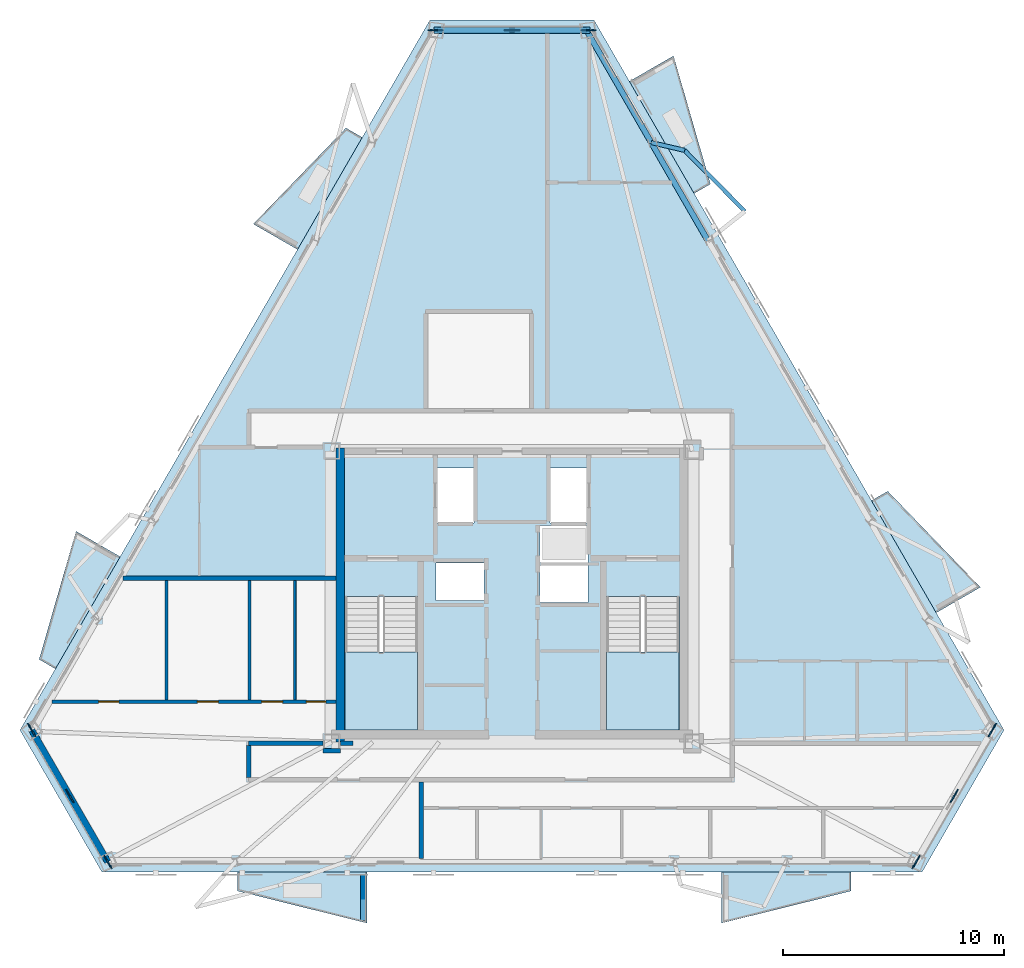
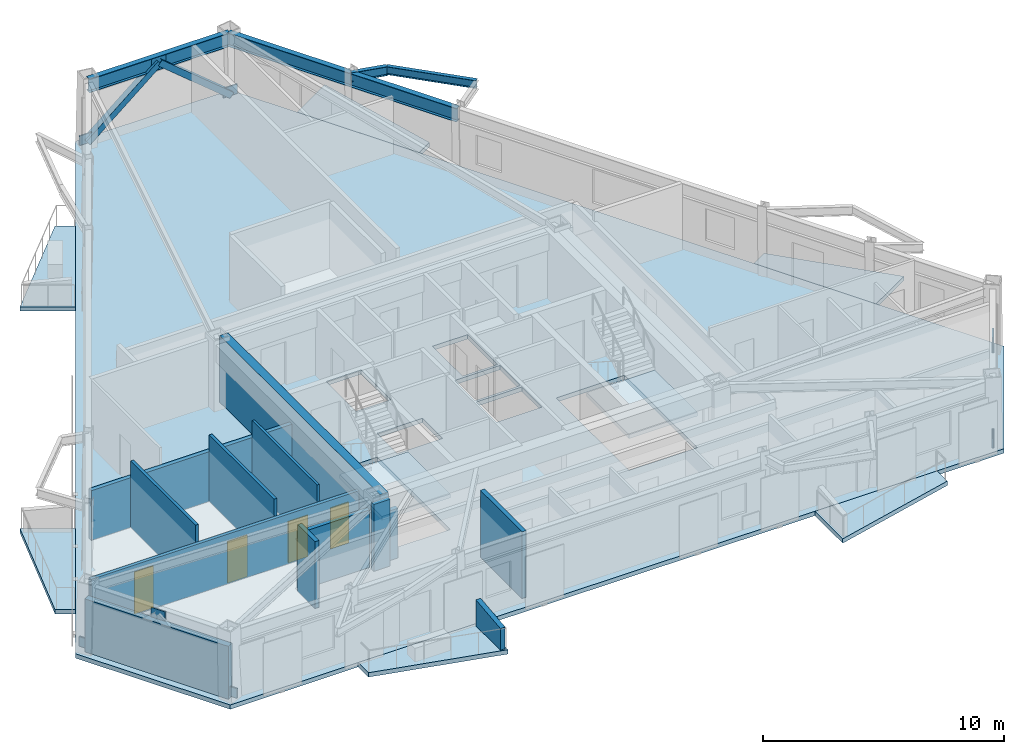
# One storey, part 2 of 11: 13 walls, 9 plates, 9 slabs, 5 beams, 4 doors, 2 members, 4 openings, 2 elements without a shape of their own.
"""IFC4 building model written with IfcOpenShell, lengths in metres."""

from ifc_helpers import new_model, si_unit, direction, frame, frame_2d, origin, origin_2d, place, context, subcontext, project, spatial, polyline, rectangle, hollow_rectangle, i_section, outline, extrude, material, layer, layer_set, material_profile, profile_set, type_object, element, fill, aggregate, save


model = new_model("IFC4")

# Units and contexts
model_context = context("Model", 3, precision=1e-05, world=origin(), true_north=direction((0.0, 1.0)))
body_context = subcontext(model_context, "Body", "Model", "MODEL_VIEW")
ifc_project = project(units=[si_unit("LENGTHUNIT", "METRE"), si_unit("AREAUNIT", "SQUARE_METRE"), si_unit("VOLUMEUNIT", "CUBIC_METRE"), si_unit("PLANEANGLEUNIT", "RADIAN"), si_unit("MASSUNIT", "GRAM", prefix="KILO")], contexts=[model_context])

# Site, building, storey
site_placement = place(None, origin())
site = spatial("IfcSite", under=ifc_project, at=site_placement, CompositionType="ELEMENT")
building_placement = place(site_placement, origin())
building = spatial("IfcBuilding", under=site, at=building_placement, Name="Oramaril Tower", CompositionType="ELEMENT")
storey_placement = place(building_placement, frame((0.0, 0.0, 212.699951171875)))
storey = spatial("IfcBuildingStorey", under=building, at=storey_placement, Name="L56", CompositionType="ELEMENT", Elevation=212.699951171875)

# Beams
ifc_material_1 = material(Name="Steel ASTM A572 Gr 50", Category="steel")
ifc_material_profile_1 = material_profile(ifc_material_1, i_section(OverallWidth=0.19091796875, OverallDepth=0.45703125, WebThickness=0.009033203125, FlangeThickness=0.014404296875, at=origin_2d()), Name="W18X50")
ifc_profile_set_1 = profile_set([ifc_material_profile_1], Name="Steel ASTM A572 Gr 50")
beam_type_1 = type_object("IfcBeamType", Name="BT-BB1", PredefinedType="BEAM", material=ifc_profile_set_1)
beam_1_placement = place(storey_placement, frame((43.794189453125, 38.094482421875, 3.151611328125), z_axis=(0.973530823178, -0.228555761955, 0.0), x_axis=(0.228555761955, 0.973530823178, 0.0)))
element("IfcBeam", 1, at=beam_1_placement, inside=storey, type_object=beam_type_1, Name="L56 Balcony Column-Framed Cantilever 04.2", PredefinedType="BEAM", context=body_context, shape_type="SweptSolid", body=[
    extrude(i_section(OverallWidth=0.19091796875, OverallDepth=0.45703125, WebThickness=0.009033203125, FlangeThickness=0.014404296875, at=origin_2d()), origin(), (0.0, 0.0, 1.0), 1.5478515625),
])
ifc_material_2 = material(Name="Steel ASTM A572 Gr 50", Category="steel")
ifc_material_profile_2 = material_profile(ifc_material_2, i_section(OverallWidth=0.177978515625, OverallDepth=0.404052734375, WebThickness=0.007568359375, FlangeThickness=0.010986328125, at=origin_2d()), Name="W16X36")
ifc_profile_set_2 = profile_set([ifc_material_profile_2], Name="Steel ASTM A572 Gr 50")
beam_type_2 = type_object("IfcBeamType", Name="BT-SB1", PredefinedType="BEAM", material=ifc_profile_set_2)
beam_2_placement = place(storey_placement, frame((48.021728515625, 34.98828125, 3.177978515625), z_axis=(-0.702994511648, 0.71119527318, 0.0), x_axis=(-0.71119527318, -0.702994511648, 0.0)))
element("IfcBeam", 2, at=beam_2_placement, inside=storey, type_object=beam_type_2, Name="L56 Balcony Edge Tie Beam 04", PredefinedType="BEAM", context=body_context, shape_type="SweptSolid", body=[
    extrude(i_section(OverallWidth=0.177978515625, OverallDepth=0.404052734375, WebThickness=0.007568359375, FlangeThickness=0.010986328125, at=origin_2d()), origin(), (0.0, 0.0, 1.0), 3.8701171875),
])
ifc_material_3 = material(Name="Steel ASTM A572 Gr 50", Category="steel")
ifc_material_profile_3 = material_profile(ifc_material_3, i_section(OverallWidth=0.257080078125, OverallDepth=0.693115234375, WebThickness=0.014404296875, FlangeThickness=0.023681640625, at=origin_2d()), Name="W27X114")
ifc_profile_set_3 = profile_set([ifc_material_profile_3], Name="Steel ASTM A572 Gr 50")
beam_type_3 = type_object("IfcBeamType", Name="BT-SP4", PredefinedType="SPANDREL", material=ifc_profile_set_3)
beam_3_placement = place(storey_placement, frame((46.354736328125, 33.65966796875, 3.033447265625), z_axis=(-0.500015459501, 0.866016478054, 0.0), x_axis=(-0.866016478054, -0.500015459501, 0.0)))
element("IfcBeam", 3, at=beam_3_placement, inside=storey, type_object=beam_type_3, Name="L56 Perimeter Spandrel 11", PredefinedType="SPANDREL", context=body_context, shape_type="SweptSolid", body=[
    extrude(i_section(OverallWidth=0.257080078125, OverallDepth=0.693115234375, WebThickness=0.014404296875, FlangeThickness=0.023681640625, at=origin_2d()), origin(), (0.0, 0.0, 1.0), 5.120849609375),
])
beam_4_placement = place(storey_placement, frame((43.794189453125, 38.094482421875, 3.033447265625), z_axis=(-0.499988457423, 0.866032067792, 0.0), x_axis=(-0.866032067792, -0.499988457423, 0.0)))
element("IfcBeam", 4, at=beam_4_placement, inside=storey, type_object=beam_type_3, Name="L56 Perimeter Spandrel 12", PredefinedType="SPANDREL", context=body_context, shape_type="SweptSolid", body=[
    extrude(i_section(OverallWidth=0.257080078125, OverallDepth=0.693115234375, WebThickness=0.014404296875, FlangeThickness=0.023681640625, at=origin_2d()), origin(), (0.0, 0.0, 1.0), 5.852783203125),
])
beam_5_placement = place(storey_placement, frame((40.867919921875, 43.1630859375, 3.033447265625), z_axis=(-1.0, 0.0, 0.0), x_axis=(0.0, -1.0, 0.0)))
element("IfcBeam", 5, at=beam_5_placement, inside=storey, type_object=beam_type_3, Name="L56 Perimeter Spandrel 13", PredefinedType="SPANDREL", context=body_context, shape_type="SweptSolid", body=[
    extrude(i_section(OverallWidth=0.257080078125, OverallDepth=0.693115234375, WebThickness=0.014404296875, FlangeThickness=0.023681640625, at=origin_2d()), origin(), (0.0, 0.0, 1.0), 6.73583984375),
])

# Members
ifc_material_4 = material(Name="Steel ASTM A572 Gr 50", Category="steel")
ifc_material_profile_4 = material_profile(ifc_material_4, hollow_rectangle(XDim=0.300048828125, YDim=0.300048828125, WallThickness=0.01611328125, at=origin_2d()), Name="HSS300X300X16")
ifc_profile_set_4 = profile_set([ifc_material_profile_4], Name="Steel ASTM A572 Gr 50")
member_type = type_object("IfcMemberType", Name="MT-KB2", PredefinedType="BRACE", material=ifc_profile_set_4)
for number, where, z_axis, x_axis, name in (
    (6, (40.939697265625, 43.172607421875, 0.179931640625), (-0.769638795967, 0.0, 0.638479540582), (0.0, -1.0, 0.0), "L56 Perimeter Chevron Brace KB-3A"),
    (7, (34.060302734375, 43.172607421875, 0.179931640625), (0.769638795967, 0.0, 0.638479540582), (0.0, 1.0, 0.0), "L56 Perimeter Chevron Brace KB-3B"),
):
    element("IfcMember", number, at=place(storey_placement, frame(where, z_axis=z_axis, x_axis=x_axis)), inside=storey, type_object=member_type, Name=name, PredefinedType="BRACE", context=body_context, shape_type="SweptSolid", body=[
        extrude(hollow_rectangle(XDim=0.300048828125, YDim=0.300048828125, WallThickness=0.01611328125, at=origin_2d()), origin(), (0.0, 0.0, 1.0), 4.46923828125),
    ])

# Plates
ifc_material_5 = material(Name="Steel ASTM A572 Gr 50", Category="steel")
ifc_layer_1 = layer(ifc_material_5, 0.06005859375)
ifc_layer_set_1 = layer_set([ifc_layer_1], Name="PLT-G60")
plate_type = type_object("IfcPlateType", Name="PLT-G60", PredefinedType="USERDEFINED", material=ifc_layer_set_1)
for number, where, z_axis, x_axis, name in (
    (8, (17.518798828125, 8.563720703125, 2.79345703125), (0.0, 0.0, 1.0), (0.5, -0.866025403784, 0.0), "L56 Chevron Brace Gusset Plate BN-1"),
    (9, (15.798828125, 11.542724609375, 0.10009765625), (0.0, 0.0, 1.0), (0.5, -0.866025403784, 0.0), "L56 Chevron Brace Gusset Plate BN-1"),
    (10, (19.238525390625, 5.584716796875, 0.10009765625), (0.0, 0.0, 1.0), (0.5, -0.866025403784, 0.0), "L56 Chevron Brace Gusset Plate BN-1"),
    (11, (57.481201171875, 8.563720703125, 2.79345703125), (0.0, 0.0, 1.0), (0.5, 0.866025403784, 0.0), "L56 Chevron Brace Gusset Plate BN-1"),
    (12, (55.761474609375, 5.584716796875, 0.10009765625), (0.0, 0.0, 1.0), (0.5, 0.866025403784, 0.0), "L56 Chevron Brace Gusset Plate BN-1"),
    (13, (59.201171875, 11.542724609375, 0.10009765625), (0.0, 0.0, 1.0), (0.5, 0.866025403784, 0.0), "L56 Chevron Brace Gusset Plate BN-1"),
    (14, (37.5, 43.172607421875, 2.79345703125), (0.0, 0.0, 1.0), (-1.0, 0.0, 0.0), "L56 Chevron Brace Gusset Plate BN-1"),
    (15, (40.939697265625, 43.172607421875, 0.10009765625), (0.0, 0.0, 1.0), (-1.0, 0.0, 0.0), "L56 Chevron Brace Gusset Plate BN-1"),
    (16, (34.060302734375, 43.172607421875, 0.10009765625), (0.0, 0.0, 1.0), (-1.0, 0.0, 0.0), "L56 Chevron Brace Gusset Plate BN-1"),
):
    element("IfcPlate", number, at=place(storey_placement, frame(where, z_axis=z_axis, x_axis=x_axis)), inside=storey, type_object=plate_type, Name=name, ObjectType="GUSSET", PredefinedType="USERDEFINED", context=body_context, shape_type="SweptSolid", body=[
        extrude(rectangle(XDim=0.679931640625, YDim=0.06005859375, at=origin_2d()), origin(), (0.0, 0.0, 1.0), 0.47998046875),
    ])

# Slabs
ifc_material_6 = material(Name="Concrete C40/50", Category="concrete")
ifc_layer_2 = layer(ifc_material_6, 0.199951171875)
ifc_layer_set_2 = layer_set([ifc_layer_2], Name="SLT-BAL20")
slab_type_1 = type_object("IfcSlabType", Name="SLT-BAL20", PredefinedType="FLOOR", material=ifc_layer_set_2)
slab_1_placement = place(storey_placement, frame((0.0, 0.0, -0.219970703125)))
element("IfcSlab", 17, at=slab_1_placement, inside=storey, type_object=slab_type_1, Name="L56 Cantilevered Balcony Slab L56-BAL-S2", PredefinedType="FLOOR", context=body_context, shape_type="SweptSolid", body=[
    extrude(outline(polyline([(46.97705078125, 5.126708984375), (52.826904296875, 5.126708984375), (52.826904296875, 4.27490234375), (46.97705078125, 2.82470703125), (46.97705078125, 5.126708984375)])), origin(), (0.0, 0.0, 1.0), 0.219970703125),
])
slab_2_placement = place(storey_placement, frame((0.0, 0.0, -0.219970703125)))
element("IfcSlab", 18, at=slab_2_placement, inside=storey, type_object=slab_type_1, Name="L56 Cantilevered Balcony Slab L56-BAL-NE1", PredefinedType="FLOOR", context=body_context, shape_type="SweptSolid", body=[
    extrude(outline(polyline([(56.668212890625, 16.84619140625), (53.7431640625, 21.912353515625), (54.48095703125, 22.33837890625), (58.661865234375, 17.9970703125), (56.668212890625, 16.84619140625)])), origin(), (0.0, 0.0, 1.0), 0.219970703125),
])
slab_3_placement = place(storey_placement, frame((0.0, 0.0, -0.219970703125)))
element("IfcSlab", 19, at=slab_3_placement, inside=storey, type_object=slab_type_1, Name="L56 Cantilevered Balcony Slab L56-BAL-NW2", PredefinedType="FLOOR", context=body_context, shape_type="SweptSolid", body=[
    extrude(outline(polyline([(19.794189453125, 19.379150390625), (16.869384765625, 14.31298828125), (16.131591796875, 14.739013671875), (17.80078125, 20.5302734375), (19.794189453125, 19.379150390625)])), origin(), (0.0, 0.0, 1.0), 0.219970703125),
])
ifc_material_7 = material(Name="Concrete C50/60", Category="concrete")
ifc_layer_3 = layer(ifc_material_7, 0.219970703125)
ifc_layer_set_3 = layer_set([ifc_layer_3], Name="SLT-FLR22")
slab_type_2 = type_object("IfcSlabType", Name="SLT-FLR22", PredefinedType="FLOOR", material=ifc_layer_set_3)
slab_4_placement = place(storey_placement, frame((0.0, 0.0, -0.219970703125)))
element("IfcSlab", 20, at=slab_4_placement, inside=storey, type_object=slab_type_2, Name="L56 Structural Floor Slab", PredefinedType="FLOOR", context=body_context, shape_type="SweptSolid", body=[
    extrude(outline(polyline([(15.267578125, 11.542724609375), (18.972900390625, 5.124755859375), (56.027099609375, 5.124755859375), (59.732421875, 11.542724609375), (41.205322265625, 43.632568359375), (33.794677734375, 43.632568359375), (15.267578125, 11.542724609375)]), holes=[polyline([(29.949951171875, 17.58935546875), (29.949951171875, 11.550048828125), (33.219970703125, 11.550048828125), (33.219970703125, 17.58935546875), (29.949951171875, 17.58935546875)]), polyline([(41.780029296875, 17.58935546875), (41.780029296875, 11.550048828125), (45.050048828125, 11.550048828125), (45.050048828125, 17.58935546875), (41.780029296875, 17.58935546875)]), polyline([(34.110107421875, 20.909912109375), (35.7900390625, 20.909912109375), (35.7900390625, 23.389892578125), (34.110107421875, 23.389892578125), (34.110107421875, 20.909912109375)]), polyline([(39.2099609375, 20.909912109375), (40.889892578125, 20.909912109375), (40.889892578125, 23.389892578125), (39.2099609375, 23.389892578125), (39.2099609375, 20.909912109375)]), polyline([(34.06005859375, 17.409912109375), (36.239990234375, 17.409912109375), (36.239990234375, 19.090087890625), (34.06005859375, 19.090087890625), (34.06005859375, 17.409912109375)]), polyline([(38.760009765625, 17.31005859375), (40.93994140625, 17.31005859375), (40.93994140625, 18.989990234375), (38.760009765625, 18.989990234375), (38.760009765625, 17.31005859375)]), polyline([(38.760009765625, 19.110107421875), (40.93994140625, 19.110107421875), (40.93994140625, 20.7900390625), (38.760009765625, 20.7900390625), (38.760009765625, 19.110107421875)])]), origin(), (0.0, 0.0, 1.0), 0.219970703125),
])

# Stair, slab
ifc_material_8 = material(Name="Concrete C50/60", Category="concrete")
stair_type = type_object("IfcStairType", Name="STT-DG-3600", PredefinedType="HALF_TURN_STAIR", material=ifc_material_8)
stair_1_placement = place(storey_placement, origin())
stair_1 = element("IfcStair", 21, at=stair_1_placement, inside=storey, type_object=stair_type, Name="L56 Protected PFP Exit Stair ST-1", PredefinedType="HALF_TURN_STAIR")
ifc_material_9 = material(Name="Concrete C50/60", Category="concrete")
ifc_layer_4 = layer(ifc_material_9, 0.199951171875)
ifc_layer_set_4 = layer_set([ifc_layer_4], Name="SLT-LND20")
slab_type_3 = type_object("IfcSlabType", Name="SLT-LND20", PredefinedType="LANDING", material=ifc_layer_set_4)
slab_5_placement = place(storey_placement, frame((0.0, 0.0, 1.60009765625)))
slab_5 = element("IfcSlab", 22, at=slab_5_placement, type_object=slab_type_3, Name="ST-1 landing 1", PredefinedType="LANDING", context=body_context, shape_type="SweptSolid", body=[
    extrude(outline(polyline([(29.949951171875, 15.070068359375), (29.949951171875, 11.550048828125), (33.219970703125, 11.550048828125), (33.219970703125, 15.070068359375), (29.949951171875, 15.070068359375)])), origin(), (0.0, 0.0, 1.0), 0.199951171875),
])
aggregate(stair_1, [slab_5])

stair_2_placement = place(storey_placement, origin())
stair_2 = element("IfcStair", 23, at=stair_2_placement, inside=storey, type_object=stair_type, Name="L56 Protected PFP Exit Stair ST-2", PredefinedType="HALF_TURN_STAIR")
slab_6_placement = place(storey_placement, frame((0.0, 0.0, 1.60009765625)))
slab_6 = element("IfcSlab", 24, at=slab_6_placement, type_object=slab_type_3, Name="ST-2 landing 1", PredefinedType="LANDING", context=body_context, shape_type="SweptSolid", body=[
    extrude(outline(polyline([(41.780029296875, 15.070068359375), (41.780029296875, 11.550048828125), (45.050048828125, 11.550048828125), (45.050048828125, 15.070068359375), (41.780029296875, 15.070068359375)])), origin(), (0.0, 0.0, 1.0), 0.199951171875),
])
aggregate(stair_2, [slab_6])

# Slabs
ifc_material_10 = material(Name="Concrete C40/50", Category="concrete")
ifc_layer_5 = layer(ifc_material_10, 0.18994140625)
ifc_layer_set_5 = layer_set([ifc_layer_5], Name="SLT-PLN19")
slab_type_4 = type_object("IfcSlabType", Name="SLT-PLN19", PredefinedType="FLOOR", material=ifc_layer_set_5)
slab_7_placement = place(storey_placement, frame((0.0, 0.0, -0.219970703125)))
element("IfcSlab", 25, at=slab_7_placement, inside=storey, type_object=slab_type_4, Name="L56 Tree Planter Balcony Slab L56-BAL-S1", PredefinedType="FLOOR", context=body_context, shape_type="SweptSolid", body=[
    extrude(outline(polyline([(25.097900390625, 5.126708984375), (30.947998046875, 5.126708984375), (30.947998046875, 2.82470703125), (25.097900390625, 4.27490234375), (25.097900390625, 5.126708984375)])), origin(), (0.0, 0.0, 1.0), 0.219970703125),
])
slab_8_placement = place(storey_placement, frame((0.0, 0.0, -0.219970703125)))
element("IfcSlab", 26, at=slab_8_placement, inside=storey, type_object=slab_type_4, Name="L56 Tree Planter Balcony Slab L56-BAL-NE2", PredefinedType="FLOOR", context=body_context, shape_type="SweptSolid", body=[
    extrude(outline(polyline([(45.728759765625, 35.7939453125), (42.8037109375, 40.860107421875), (44.79736328125, 42.01123046875), (46.466552734375, 36.219970703125), (45.728759765625, 35.7939453125)])), origin(), (0.0, 0.0, 1.0), 0.219970703125),
])
slab_9_placement = place(storey_placement, frame((0.0, 0.0, -0.219970703125)))
element("IfcSlab", 27, at=slab_9_placement, inside=storey, type_object=slab_type_4, Name="L56 Tree Planter Balcony Slab L56-BAL-NW1", PredefinedType="FLOOR", context=body_context, shape_type="SweptSolid", body=[
    extrude(outline(polyline([(30.73388671875, 38.3271484375), (27.808837890625, 33.2607421875), (25.815185546875, 34.411865234375), (29.99609375, 38.753173828125), (30.73388671875, 38.3271484375)])), origin(), (0.0, 0.0, 1.0), 0.219970703125),
])

# Walls
ifc_material_11 = material(Name="Warm Cream Limestone", Category="masonry")
ifc_layer_6 = layer(ifc_material_11, 0.2900390625)
ifc_layer_set_6 = layer_set([ifc_layer_6], Name="WT-EXT29")
wall_type_1 = type_object("IfcWallType", Name="WT-EXT29", PredefinedType="SOLIDWALL", material=ifc_layer_set_6)
wall_1_placement = place(storey_placement, frame((15.798828125, 11.542724609375, 0.0), z_axis=(0.0, 0.0, 1.0), x_axis=(0.499982540895, -0.866035483569, 0.0)))
element("IfcWall", 28, at=wall_1_placement, inside=storey, type_object=wall_type_1, Name="L56 Tower Limestone Facade Wall 1M", PredefinedType="SOLIDWALL", context=body_context, shape_type="SweptSolid", body=[
    extrude(rectangle(XDim=6.879638671875, YDim=0.2900390625, at=frame_2d((3.43994140625, 0.0))), origin(), (0.0, 0.0, 1.0), 2.677001953125),
])
ifc_material_12 = material(Name="Concrete C40/50", Category="concrete")
ifc_layer_7 = layer(ifc_material_12, 0.22998046875)
ifc_layer_set_7 = layer_set([ifc_layer_7], Name="WT-PRP23")
wall_type_2 = type_object("IfcWallType", Name="WT-PRP23", PredefinedType="PARAPET", material=ifc_layer_set_7)
wall_2_placement = place(storey_placement, frame((30.76806640625, 4.98681640625, 0.0), z_axis=(0.0, 0.0, 1.0), x_axis=(0.0, -1.0, 0.0)))
element("IfcWall", 29, at=wall_2_placement, inside=storey, type_object=wall_type_2, Name="L56 Trapezoidal Balcony Frame Cheek L56-BAL-S1-R", PredefinedType="PARAPET", context=body_context, shape_type="SweptSolid", body=[
    extrude(outline(polyline([(0.0, 0.0), (2.0419921875, 0.0), (2.0419921875, 1.10009765625), (0.0, 1.320068359375), (0.0, 0.0)])), frame((0.0, 0.114990234375, 0.0), z_axis=(0.0, -1.0, 0.0), x_axis=(1.0, 0.0, 0.0)), (0.0, 0.0, 1.0), 0.22998046875),
])
ifc_material_13 = material(Name="Acoustic Gypsum Board Partition")
ifc_layer_8 = layer(ifc_material_13, 0.1201171875)
ifc_layer_set_8 = layer_set([ifc_layer_8], Name="WT-PT12")
wall_type_3 = type_object("IfcWallType", Name="WT-PT12", PredefinedType="PARTITIONING", material=ifc_layer_set_8)
wall_3_placement = place(storey_placement, frame((27.68994140625, 12.9140625, 0.0), z_axis=(0.0, 0.0, 1.0), x_axis=(0.0, 1.0, 0.0)))
element("IfcWall", 30, at=wall_3_placement, inside=storey, type_object=wall_type_3, Name="L56 Interior Partition PT-12", PredefinedType="PARTITIONING", context=body_context, shape_type="SweptSolid", body=[
    extrude(rectangle(XDim=5.3818359375, YDim=0.1201171875, at=frame_2d((2.69091796875, 0.0))), origin(), (0.0, 0.0, 1.0), 3.380126953125),
])
ifc_material_14 = material(Name="Acoustic Gypsum Board Partition")
ifc_layer_9 = layer(ifc_material_14, 0.139892578125)
ifc_layer_set_9 = layer_set([ifc_layer_9], Name="WT-PT14")
wall_type_4 = type_object("IfcWallType", Name="WT-PT14", PredefinedType="PARTITIONING", material=ifc_layer_set_9)
for number, where, z_axis, x_axis, name in (
    (31, (21.8798828125, 12.9140625, 0.0), (0.0, 0.0, 1.0), (0.0, 1.0, 0.0), "L56 Interior Partition PT-14"),
    (32, (25.639892578125, 12.9140625, 0.0), (0.0, 0.0, 1.0), (0.0, 1.0, 0.0), "L56 Interior Partition PT-14"),
):
    element("IfcWall", number, at=place(storey_placement, frame(where, z_axis=z_axis, x_axis=x_axis)), inside=storey, type_object=wall_type_4, Name=name, PredefinedType="PARTITIONING", context=body_context, shape_type="SweptSolid", body=[
        extrude(rectangle(XDim=5.3818359375, YDim=0.139892578125, at=frame_2d((2.69091796875, 0.0))), origin(), (0.0, 0.0, 1.0), 3.380126953125),
    ])

# Wall, openings, doors
ifc_material_15 = material(Name="Acoustic Gypsum Board Partition")
ifc_layer_10 = layer(ifc_material_15, 0.159912109375)
ifc_layer_set_10 = layer_set([ifc_layer_10], Name="WT-PT16")
wall_type_5 = type_object("IfcWallType", Name="WT-PT16", PredefinedType="PARTITIONING", material=ifc_layer_set_10)
wall_4_placement = place(storey_placement, frame((16.714111328125, 12.830078125, 0.0), z_axis=(0.0, 0.0, 1.0), x_axis=(1.0, 0.0, 0.0)))
wall_4 = element("IfcWall", 33, at=wall_4_placement, inside=storey, type_object=wall_type_5, Name="L56 Interior Partition PT-16", PredefinedType="PARTITIONING", context=body_context, shape_type="SweptSolid", body=[
    extrude(rectangle(XDim=12.82177734375, YDim=0.159912109375, at=frame_2d((6.410888671875, 0.0))), origin(), (0.0, 0.0, 1.0), 2.52001953125),
])
opening_1_placement = place(wall_4_placement, frame((2.10693359375, 0.0, 0.0)))
opening_1 = element("IfcOpeningElement", 34, at=opening_1_placement, cuts=wall_4, Name="Opening D-L56-09", PredefinedType="OPENING", context=body_context, shape_type="SweptSolid", body=[
    extrude(rectangle(XDim=0.919921875, YDim=2.1201171875, at=frame_2d((0.4599609375, 1.06005859375))), frame((0.0, 0.080078125, 0.0), z_axis=(0.0, -1.0, 0.0), x_axis=(1.0, 0.0, 0.0)), (0.0, 0.0, 1.0), 0.159912109375),
])
opening_2_placement = place(wall_4_placement, frame((6.570068359375, 0.0, 0.0)))
opening_2 = element("IfcOpeningElement", 35, at=opening_2_placement, cuts=wall_4, Name="Opening D-L56-10", PredefinedType="OPENING", context=body_context, shape_type="SweptSolid", body=[
    extrude(rectangle(XDim=0.949951171875, YDim=2.10009765625, at=frame_2d((0.47509765625, 1.050048828125))), frame((0.0, 0.080078125, 0.0), z_axis=(0.0, -1.0, 0.0), x_axis=(1.0, 0.0, 0.0)), (0.0, 0.0, 1.0), 0.159912109375),
])
opening_3_placement = place(wall_4_placement, frame((9.475830078125, 0.0, 0.0)))
opening_3 = element("IfcOpeningElement", 36, at=opening_3_placement, cuts=wall_4, Name="Opening D-L56-11", PredefinedType="OPENING", context=body_context, shape_type="SweptSolid", body=[
    extrude(rectangle(XDim=0.949951171875, YDim=2.10009765625, at=frame_2d((0.47509765625, 1.050048828125))), frame((0.0, 0.080078125, 0.0), z_axis=(0.0, -1.0, 0.0), x_axis=(1.0, 0.0, 0.0)), (0.0, 0.0, 1.0), 0.159912109375),
])
opening_4_placement = place(wall_4_placement, frame((11.495849609375, 0.0, 0.0)))
opening_4 = element("IfcOpeningElement", 37, at=opening_4_placement, cuts=wall_4, Name="Opening D-L56-12", PredefinedType="OPENING", context=body_context, shape_type="SweptSolid", body=[
    extrude(rectangle(XDim=0.8798828125, YDim=2.080078125, at=frame_2d((0.43994140625, 1.0400390625))), frame((0.0, 0.080078125, 0.0), z_axis=(0.0, -1.0, 0.0), x_axis=(1.0, 0.0, 0.0)), (0.0, 0.0, 1.0), 0.159912109375),
])
ifc_material_16 = material(Name="FSC Brazilian Freijo Hardwood", Category="wood")
door_type_1 = type_object("IfcDoorType", Name="DT-BATH", OperationType="NOTDEFINED", PredefinedType="DOOR", material=ifc_material_16)
door_1_placement = place(opening_4_placement, origin())
door_1 = element("IfcDoor", 38, at=door_1_placement, inside=storey, type_object=door_type_1, Name="L56 Flat L56-U2 Bathroom Door D-L56-12", OperationType="SINGLE_SWING_LEFT", OverallHeight=2.080078125, OverallWidth=0.8798828125, PredefinedType="DOOR", context=body_context, shape_type="SweptSolid", body=[
    extrude(rectangle(XDim=0.8798828125, YDim=2.080078125, at=frame_2d((0.43994140625, 1.0400390625))), frame((0.0, 0.02490234375, 0.0), z_axis=(0.0, -1.0, 0.0), x_axis=(1.0, 0.0, 0.0)), (0.0, 0.0, 1.0), 0.050048828125),
])
fill(opening_4, door_1)
ifc_material_17 = material(Name="FSC Brazilian Freijo Hardwood", Category="wood")
door_type_2 = type_object("IfcDoorType", Name="DT-BED", OperationType="NOTDEFINED", PredefinedType="DOOR", material=ifc_material_17)
door_2_placement = place(opening_1_placement, origin())
door_2 = element("IfcDoor", 39, at=door_2_placement, inside=storey, type_object=door_type_2, Name="L56 Flat L56-U2 Master Bedroom Door D-L56-09", OperationType="SINGLE_SWING_RIGHT", OverallHeight=2.1201171875, OverallWidth=0.919921875, PredefinedType="DOOR", context=body_context, shape_type="SweptSolid", body=[
    extrude(rectangle(XDim=0.919921875, YDim=2.1201171875, at=frame_2d((0.4599609375, 1.06005859375))), frame((0.0, 0.02490234375, 0.0), z_axis=(0.0, -1.0, 0.0), x_axis=(1.0, 0.0, 0.0)), (0.0, 0.0, 1.0), 0.050048828125),
])
fill(opening_1, door_2)
ifc_material_18 = material(Name="FSC Brazilian Freijo Hardwood", Category="wood")
door_type_3 = type_object("IfcDoorType", Name="DT-STDY", OperationType="NOTDEFINED", PredefinedType="DOOR", material=ifc_material_18)
door_3_placement = place(opening_2_placement, origin())
door_3 = element("IfcDoor", 40, at=door_3_placement, inside=storey, type_object=door_type_3, Name="L56 Flat L56-U2 Breakfast Dining Room Door D-L56-10", OperationType="SINGLE_SWING_LEFT", OverallHeight=2.10009765625, OverallWidth=0.949951171875, PredefinedType="DOOR", context=body_context, shape_type="SweptSolid", body=[
    extrude(rectangle(XDim=0.949951171875, YDim=2.10009765625, at=frame_2d((0.47509765625, 1.050048828125))), frame((0.0, 0.02490234375, 0.0), z_axis=(0.0, -1.0, 0.0), x_axis=(1.0, 0.0, 0.0)), (0.0, 0.0, 1.0), 0.050048828125),
])
fill(opening_2, door_3)
door_4_placement = place(opening_3_placement, origin())
door_4 = element("IfcDoor", 41, at=door_4_placement, inside=storey, type_object=door_type_3, Name="L56 Flat L56-U2 Kitchen Door D-L56-11", OperationType="SINGLE_SWING_RIGHT", OverallHeight=2.10009765625, OverallWidth=0.949951171875, PredefinedType="DOOR", context=body_context, shape_type="SweptSolid", body=[
    extrude(rectangle(XDim=0.949951171875, YDim=2.10009765625, at=frame_2d((0.47509765625, 1.050048828125))), frame((0.0, 0.02490234375, 0.0), z_axis=(0.0, -1.0, 0.0), x_axis=(1.0, 0.0, 0.0)), (0.0, 0.0, 1.0), 0.050048828125),
])
fill(opening_3, door_4)

# Walls
ifc_material_19 = material(Name="Autoclaved Cellular Concrete Block", Category="concrete")
ifc_layer_11 = layer(ifc_material_19, 0.199951171875)
ifc_layer_set_11 = layer_set([ifc_layer_11], Name="WT-PT20")
wall_type_6 = type_object("IfcWallType", Name="WT-PT20", PredefinedType="PARTITIONING", material=ifc_layer_set_11)
wall_5_placement = place(storey_placement, frame((28.9599609375, 10.610107421875, 0.0), z_axis=(0.0, 0.0, 1.0), x_axis=(1.0, 0.0, 0.0)))
element("IfcWall", 42, at=wall_5_placement, inside=storey, type_object=wall_type_6, Name="L56 Interior Partition PT-20", PredefinedType="PARTITIONING", context=body_context, shape_type="SweptSolid", body=[
    extrude(rectangle(XDim=0.780029296875, YDim=0.199951171875, at=frame_2d((0.39013671875, 0.0))), origin(), (0.0, 0.0, 1.0), 3.380126953125),
])
wall_6_placement = place(storey_placement, frame((25.60009765625, 10.949951171875, 0.0), z_axis=(0.0, 0.0, 1.0), x_axis=(1.0, 0.0, 0.0)))
element("IfcWall", 43, at=wall_6_placement, inside=storey, type_object=wall_type_6, Name="L56 Interior Partition PT-20", PredefinedType="PARTITIONING", context=body_context, shape_type="SweptSolid", body=[
    extrude(rectangle(XDim=3.35986328125, YDim=0.199951171875, at=frame_2d((1.679931640625, 0.0))), origin(), (0.0, 0.0, 1.0), 2.9130859375),
])
wall_7_placement = place(storey_placement, frame((29.739990234375, 10.949951171875, 0.0), z_axis=(0.0, 0.0, 1.0), x_axis=(1.0, 0.0, 0.0)))
element("IfcWall", 44, at=wall_7_placement, inside=storey, type_object=wall_type_6, Name="L56 Interior Partition PT-20", PredefinedType="PARTITIONING", context=body_context, shape_type="SweptSolid", body=[
    extrude(rectangle(XDim=0.56494140625, YDim=0.199951171875, at=frame_2d((0.282470703125, 0.0))), origin(), (0.0, 0.0, 1.0), 2.52001953125),
])
wall_8_placement = place(storey_placement, frame((19.929931640625, 18.39990234375, 0.0), z_axis=(0.0, 0.0, 1.0), x_axis=(1.0, 0.0, 0.0)))
element("IfcWall", 45, at=wall_8_placement, inside=storey, type_object=wall_type_6, Name="L56 Interior Partition PT-20", PredefinedType="PARTITIONING", context=body_context, shape_type="SweptSolid", body=[
    extrude(rectangle(XDim=9.60595703125, YDim=0.199951171875, at=frame_2d((4.802978515625, 0.0))), origin(), (0.0, 0.0, 1.0), 2.52001953125),
])
wall_9_placement = place(storey_placement, frame((25.60009765625, 9.404052734375, 0.0), z_axis=(0.0, 0.0, 1.0), x_axis=(0.0, 1.0, 0.0)))
element("IfcWall", 46, at=wall_9_placement, inside=storey, type_object=wall_type_6, Name="L56 Interior Partition PT-20", PredefinedType="PARTITIONING", context=body_context, shape_type="SweptSolid", body=[
    extrude(rectangle(XDim=1.44189453125, YDim=0.199951171875, at=frame_2d((0.720947265625, 0.0))), origin(), (0.0, 0.0, 1.0), 3.380126953125),
])
wall_10_placement = place(storey_placement, frame((33.39990234375, 5.73388671875, 0.0), z_axis=(0.0, 0.0, 1.0), x_axis=(0.0, 1.0, 0.0)))
element("IfcWall", 47, at=wall_10_placement, inside=storey, type_object=wall_type_6, Name="L56 Interior Partition PT-20", PredefinedType="PARTITIONING", context=body_context, shape_type="SweptSolid", body=[
    extrude(rectangle(XDim=3.462158203125, YDim=0.199951171875, at=frame_2d((1.73095703125, 0.0))), origin(), (0.0, 0.0, 1.0), 3.380126953125),
])
ifc_material_20 = material(Name="Concrete C50/60", Category="concrete")
ifc_layer_12 = layer(ifc_material_20, 0.39990234375)
ifc_layer_set_12 = layer_set([ifc_layer_12], Name="WT-SH40")
wall_type_7 = type_object("IfcWallType", Name="WT-SH40", PredefinedType="SHEAR", material=ifc_layer_set_12)
wall_11_placement = place(storey_placement, frame((29.739990234375, 11.0, 0.0), z_axis=(0.0, 0.0, 1.0), x_axis=(0.0, 1.0, 0.0)))
element("IfcWall", 48, at=wall_11_placement, inside=storey, type_object=wall_type_7, Name="L56 Core Shear Wall CW-W", PredefinedType="SHEAR", context=body_context, shape_type="SweptSolid", body=[
    extrude(rectangle(XDim=13.300048828125, YDim=0.39990234375, at=frame_2d((6.64990234375, 0.0))), origin(), (0.0, 0.0, 1.0), 3.380126953125),
])

save(model, "model.ifc")
